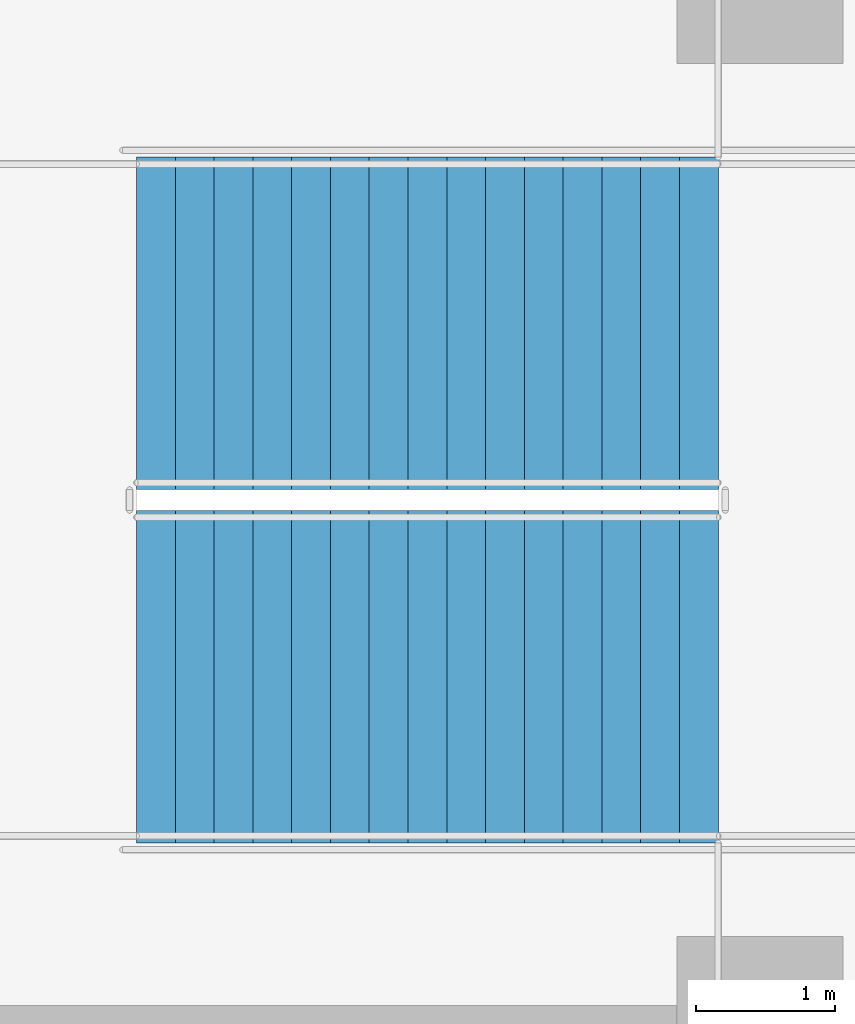
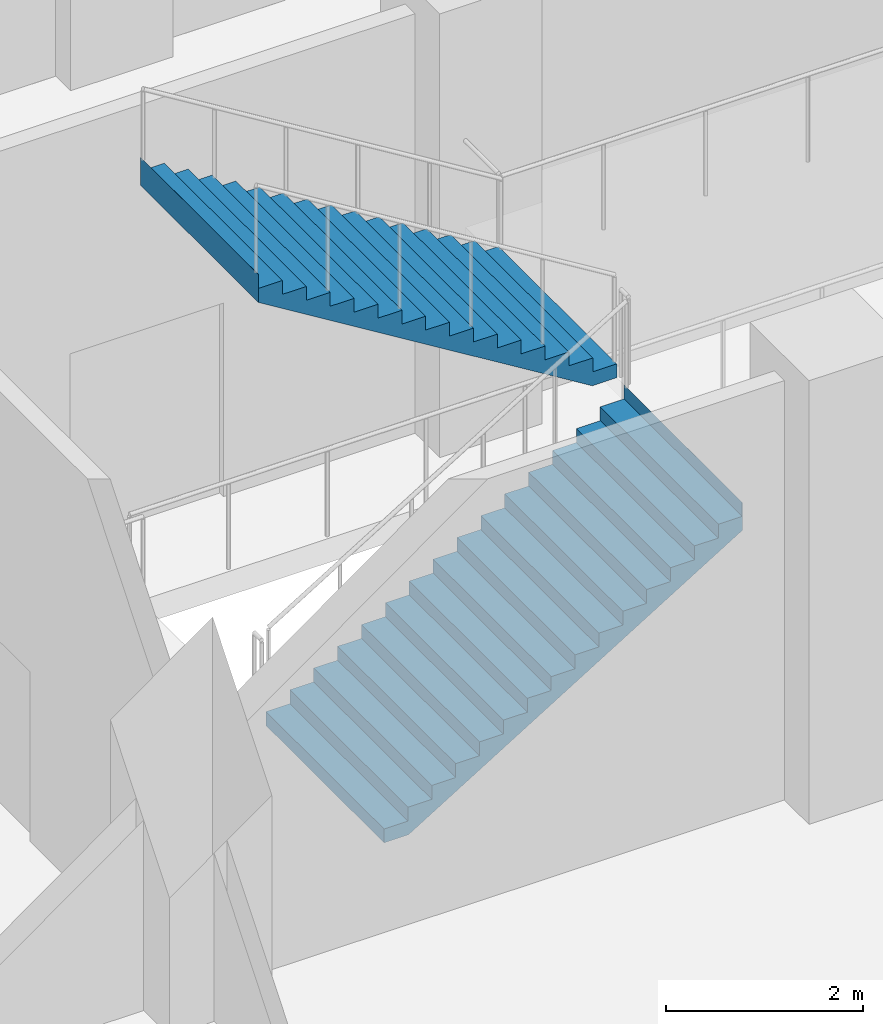
# One storey, part 18 of 25: 2 stair flights, 1 element without a shape of its own.
"""IFC4 building model written with IfcOpenShell, lengths in metres."""

import ifcopenshell
import ifcopenshell.guid

model = None  # the IFC model being written
_history = None  # IfcOwnerHistory: only IFC2X3 demands one
_inside = {}  # id of a spatial element -> (the spatial element, [elements in it])
_under = {}  # id of a project, library or spatial element -> (it, [spatial elements below it])
_declared = {}  # id of a project -> (the project, [libraries it declares])
_typed = {}  # id of a type object -> (the type object, [elements of that type])
_made_of = {}  # id of a material, layer set ... -> (it, [elements and type objects made of it])


def new_model(schema):
    """Start an empty IFC model of exactly this schema.

    Asked for "IFC4X3", IfcOpenShell would pick the latest addendum, in which some entities
    have other attributes; the version numbers below select the first issue.
    IFC2X3 requires an IfcOwnerHistory on every rooted entity: one is made here for all.
    """
    global model, _history
    if schema == "IFC4X3":
        model = ifcopenshell.file(schema_version=(4, 3, 0, 0))
    else:
        model = ifcopenshell.file(schema=schema)
    _inside.clear()
    _under.clear()
    _declared.clear()
    _typed.clear()
    _made_of.clear()
    _history = None
    if model.schema == "IFC2X3":
        org = make("IfcOrganization", Name="unknown")
        user = make(
            "IfcPersonAndOrganization",
            ThePerson=make("IfcPerson", FamilyName="unknown"),
            TheOrganization=org,
        )
        app = make(
            "IfcApplication",
            ApplicationDeveloper=org,
            Version="unknown",
            ApplicationFullName="unknown",
            ApplicationIdentifier="unknown",
        )
        _history = make(
            "IfcOwnerHistory",
            OwningUser=user,
            OwningApplication=app,
            ChangeAction="ADDED",
            CreationDate=0,
        )
    return model


def make(cls, **values):
    """One entity of the class cls with the attributes given. An attribute that is None is left unset."""
    return model.create_entity(
        cls, **{name: value for name, value in values.items() if value is not None}
    )


def rooted(cls, **values):
    """An entity with a GlobalId (a new one), such as an element, a storey or a relation."""
    return make(cls, GlobalId=ifcopenshell.guid.new(), OwnerHistory=_history, **values)


def si_unit(unit_type, name, prefix=None):
    """IfcSIUnit, for example si_unit("LENGTHUNIT", "METRE", prefix="MILLI")."""
    return make("IfcSIUnit", UnitType=unit_type, Prefix=prefix, Name=name)


def assignment(units):
    """IfcUnitAssignment: the units of a project."""
    return None if units is None else make("IfcUnitAssignment", Units=units)


def point(xyz):
    """IfcCartesianPoint."""
    return None if xyz is None else make("IfcCartesianPoint", Coordinates=xyz)


def direction(xyz):
    """IfcDirection."""
    return None if xyz is None else make("IfcDirection", DirectionRatios=xyz)


def frame(location, z_axis=None, x_axis=None):
    """IfcAxis2Placement3D, a coordinate frame: its origin and axes. An axis left out is left unset."""
    return make(
        "IfcAxis2Placement3D",
        Location=point(location),
        Axis=direction(z_axis),
        RefDirection=direction(x_axis),
    )


def origin():
    """The frame at (0, 0, 0) with its axes left unset."""
    return frame((0.0, 0.0, 0.0))


def place(relative_to, where):
    """IfcLocalPlacement: puts the frame where relative to a parent placement (None: the world)."""
    return make(
        "IfcLocalPlacement", PlacementRelTo=relative_to, RelativePlacement=where
    )


def context(
    kind, dimensions, precision=None, world=None, true_north=None, identifier=None
):
    """IfcGeometricRepresentationContext, for example the 3D "Model" context."""
    return make(
        "IfcGeometricRepresentationContext",
        ContextIdentifier=identifier,
        ContextType=kind,
        CoordinateSpaceDimension=dimensions,
        Precision=precision,
        WorldCoordinateSystem=world,
        TrueNorth=true_north,
    )


def subcontext(parent, identifier, kind, view, scale=None):
    """IfcGeometricRepresentationSubContext, for example "Body" below "Model"."""
    return make(
        "IfcGeometricRepresentationSubContext",
        ContextIdentifier=identifier,
        ContextType=kind,
        ParentContext=parent,
        TargetScale=scale,
        TargetView=view,
    )


def project(units=None, contexts=None):
    """IfcProject with its units and contexts."""
    return rooted(
        "IfcProject",
        Name="project",
        RepresentationContexts=contexts,
        UnitsInContext=assignment(units),
    )


def spatial(cls, under=None, at=None, **own):
    """A site, building, storey or space (cls), placed at a placement, below another one or the project."""
    s = rooted(cls, ObjectPlacement=at, **own)
    if under is not None:
        _under.setdefault(under.id(), (under, []))[1].append(s)
    return s


def polyline(points):
    """IfcPolyline through the points."""
    return make("IfcPolyline", Points=[point(p) for p in points])


def outline(outer, holes=None, kind="AREA"):
    """IfcArbitraryClosedProfileDef: a profile drawn as a closed curve; with holes, ...WithVoids."""
    if holes is None:
        return make("IfcArbitraryClosedProfileDef", ProfileType=kind, OuterCurve=outer)
    return make(
        "IfcArbitraryProfileDefWithVoids",
        ProfileType=kind,
        OuterCurve=outer,
        InnerCurves=holes,
    )


def extrude(swept, where, along, depth):
    """IfcExtrudedAreaSolid: the profile swept, set in the frame where, extruded along a direction by depth."""
    return make(
        "IfcExtrudedAreaSolid",
        SweptArea=swept,
        Position=where,
        ExtrudedDirection=direction(along),
        Depth=depth,
    )


def shape(context_of_items, identifier, shape_type, items):
    """IfcShapeRepresentation: the items that make up one representation, for example the "Body"."""
    return make(
        "IfcShapeRepresentation",
        ContextOfItems=context_of_items,
        RepresentationIdentifier=identifier,
        RepresentationType=shape_type,
        Items=items,
    )


def material(Name=None, Category=None):
    """IfcMaterial."""
    return make("IfcMaterial", Name=Name, Category=Category)


def made_of(thing, what):
    """Note that an element or type object is made of a material, layer set ...; save() writes the relation."""
    if what is not None:
        _made_of.setdefault(what.id(), (what, []))[1].append(thing)
    return thing


def type_object(cls, material=None, **own):
    """A type object (cls), such as IfcWallType, which elements share."""
    return made_of(rooted(cls, **own), material)


def element(
    cls,
    number,
    at=None,
    inside=None,
    cuts=None,
    type_object=None,
    material=None,
    context=None,
    identifier="Body",
    shape_type=None,
    held_by="IfcProductDefinitionShape",
    body=None,
    shapes=None,
    **own,
):
    """One element of the class cls, such as IfcWall. Its Tag is "e" and its number.

    at: its placement. inside: the storey or other place that contains it. cuts: it is an
    opening in that element (IfcRelVoidsElement). A single representation is given by context,
    identifier, shape_type and body (its items); several are given by shapes. held_by: the class
    of the entity that holds the representations. save() writes the other relations.
    """
    e = rooted(cls, Tag="e%d" % number, ObjectPlacement=at, **own)
    if body is not None:
        shapes = [shape(context, identifier, shape_type, body)]
    if shapes is not None:
        e.Representation = make(held_by, Representations=shapes)
    if inside is not None:
        _inside.setdefault(inside.id(), (inside, []))[1].append(e)
    if cuts is not None:
        rooted(
            "IfcRelVoidsElement", RelatingBuildingElement=cuts, RelatedOpeningElement=e
        )
    if type_object is not None:
        _typed.setdefault(type_object.id(), (type_object, []))[1].append(e)
    return made_of(e, material)


def aggregate(whole, parts):
    """IfcRelAggregates: a whole, such as a stair, and the parts it consists of."""
    return rooted("IfcRelAggregates", RelatingObject=whole, RelatedObjects=parts)


def save(model, path):
    """Write the relations noted so far, then the file.

    IfcRelAggregates (storeys below a building ...), IfcRelContainedInSpatialStructure (elements
    in a storey), IfcRelDefinesByType, IfcRelAssociatesMaterial and IfcRelDeclares: one each for
    every whole, place, type object, material and project.
    """
    for whole, parts in _under.values():
        aggregate(whole, parts)
    for where, things in _inside.values():
        rooted(
            "IfcRelContainedInSpatialStructure",
            RelatedElements=things,
            RelatingStructure=where,
        )
    for kind, things in _typed.values():
        rooted("IfcRelDefinesByType", RelatedObjects=things, RelatingType=kind)
    for what, things in _made_of.values():
        rooted("IfcRelAssociatesMaterial", RelatedObjects=things, RelatingMaterial=what)
    for by, libraries in _declared.values():
        rooted("IfcRelDeclares", RelatingContext=by, RelatedDefinitions=libraries)
    model.write(path)


model = new_model("IFC4")

# Units and contexts
model_context = context("Model", 3, precision=1e-05, world=origin(), true_north=direction((0.0, 1.0)))
body_context = subcontext(model_context, "Body", "Model", "MODEL_VIEW")
ifc_project = project(units=[si_unit("LENGTHUNIT", "METRE"), si_unit("AREAUNIT", "SQUARE_METRE"), si_unit("VOLUMEUNIT", "CUBIC_METRE"), si_unit("PLANEANGLEUNIT", "RADIAN"), si_unit("MASSUNIT", "GRAM", prefix="KILO")], contexts=[model_context])

# Site, building, storey
site_placement = place(None, origin())
site = spatial("IfcSite", under=ifc_project, at=site_placement, CompositionType="ELEMENT")
building_placement = place(site_placement, origin())
building = spatial("IfcBuilding", under=site, at=building_placement, Name="Tamorin Gate", CompositionType="ELEMENT")
storey_placement = place(building_placement, frame((0.0, 0.0, 23.5)))
storey = spatial("IfcBuildingStorey", under=building, at=storey_placement, Name="L04", CompositionType="ELEMENT", Elevation=23.5)

# Stair, stair flights
ifc_material = material(Name="Reinforced concrete C32/40", Category="concrete")
stair_type = type_object("IfcStairType", Name="Podium stair PS", PredefinedType="HALF_TURN_STAIR", material=ifc_material)
stair_placement = place(storey_placement, origin())
stair = element("IfcStair", 1, at=stair_placement, inside=storey, type_object=stair_type, Name="L04 Podium stair PS4", PredefinedType="HALF_TURN_STAIR")
stair_flight_type = type_object("IfcStairFlightType", Name="Stair flight 2400", PredefinedType="STRAIGHT", material=ifc_material)
stair_flight_1_placement = place(storey_placement, frame((100.0, 99.47509765625, 0.0), z_axis=(0.0, 0.0, 1.0), x_axis=(1.0, 0.0, 0.0)))
stair_flight_1 = element("IfcStairFlight", 2, at=stair_flight_1_placement, type_object=stair_flight_type, Name="PS4 flight 1", NumberOfRisers=16, NumberOfTreads=15, PredefinedType="STRAIGHT", RiserHeight=0.171875, TreadLength=0.28, context=body_context, shape_type="SweptSolid", body=[
    extrude(outline(polyline([(-0.00048828125, 0.0), (-0.00048828125, 0.001708984375), (-0.00048828125, 0.00341796875), (-0.00048828125, 0.005126953125), (-0.00048828125, 0.0068359375), (-0.00048828125, 0.008544921875), (-0.00048828125, 0.01025390625), (-0.00048828125, 0.011962890625), (-0.00048828125, 0.013671875), (-0.00048828125, 0.015380859375), (-0.00048828125, 0.01708984375), (-0.00048828125, 0.018798828125), (-0.00048828125, 0.0205078125), (-0.00048828125, 0.022216796875), (-0.00048828125, 0.02392578125), (-0.00048828125, 0.025634765625), (-0.00048828125, 0.02734375), (-0.00048828125, 0.02880859375), (-0.00048828125, 0.030517578125), (-0.00048828125, 0.0322265625), (-0.00048828125, 0.033935546875), (-0.00048828125, 0.03564453125), (-0.00048828125, 0.037353515625), (-0.00048828125, 0.0390625), (-0.00048828125, 0.040771484375), (-0.00048828125, 0.04248046875), (-0.00048828125, 0.044189453125), (-0.00048828125, 0.0458984375), (-0.00048828125, 0.047607421875), (-0.00048828125, 0.04931640625), (-0.00048828125, 0.051025390625), (-0.00048828125, 0.052734375), (-0.00048828125, 0.054443359375), (-0.00048828125, 0.05615234375), (-0.00048828125, 0.057861328125), (-0.00048828125, 0.0595703125), (-0.00048828125, 0.061279296875), (-0.00048828125, 0.06298828125), (-0.00048828125, 0.064697265625), (-0.00048828125, 0.06640625), (-0.00048828125, 0.068115234375), (-0.00048828125, 0.06982421875), (-0.00048828125, 0.071533203125), (-0.00048828125, 0.0732421875), (-0.00048828125, 0.074951171875), (-0.00048828125, 0.07666015625), (-0.00048828125, 0.078369140625), (-0.00048828125, 0.080078125), (-0.00048828125, 0.081787109375), (-0.00048828125, 0.08349609375), (-0.00048828125, 0.085205078125), (-0.00048828125, 0.086669921875), (-0.00048828125, 0.08837890625), (-0.00048828125, 0.090087890625), (-0.00048828125, 0.091796875), (-0.00048828125, 0.093505859375), (-0.00048828125, 0.09521484375), (-0.00048828125, 0.096923828125), (-0.00048828125, 0.0986328125), (-0.00048828125, 0.100341796875), (-0.00048828125, 0.10205078125), (-0.00048828125, 0.103759765625), (-0.00048828125, 0.10546875), (-0.00048828125, 0.107177734375), (-0.00048828125, 0.10888671875), (-0.00048828125, 0.110595703125), (-0.00048828125, 0.1123046875), (-0.00048828125, 0.114013671875), (-0.00048828125, 0.11572265625), (-0.00048828125, 0.117431640625), (-0.00048828125, 0.119140625), (-0.00048828125, 0.120849609375), (-0.00048828125, 0.12255859375), (-0.00048828125, 0.124267578125), (-0.00048828125, 0.1259765625), (-0.00048828125, 0.127685546875), (-0.00048828125, 0.12939453125), (-0.00048828125, 0.131103515625), (-0.00048828125, 0.1328125), (-0.00048828125, 0.134521484375), (-0.00048828125, 0.13623046875), (-0.00048828125, 0.137939453125), (-0.00048828125, 0.1396484375), (-0.00048828125, 0.141357421875), (-0.00048828125, 0.14306640625), (-0.00048828125, 0.14453125), (-0.00048828125, 0.146240234375), (-0.00048828125, 0.14794921875), (-0.00048828125, 0.149658203125), (-0.00048828125, 0.1513671875), (-0.00048828125, 0.153076171875), (-0.00048828125, 0.15478515625), (-0.00048828125, 0.156494140625), (-0.00048828125, 0.158203125), (-0.00048828125, 0.159912109375), (-0.00048828125, 0.16162109375), (-0.00048828125, 0.163330078125), (-0.00048828125, 0.1650390625), (-0.00048828125, 0.166748046875), (-0.00048828125, 0.16845703125), (-0.00048828125, 0.170166015625), (-0.00048828125, 0.171875), (0.280029296875, 0.171875), (0.280029296875, 0.34375), (0.56005859375, 0.34375), (0.56005859375, 0.515625), (0.840087890625, 0.515625), (0.840087890625, 0.6875), (1.1201171875, 0.6875), (1.1201171875, 0.859375), (1.39990234375, 0.859375), (1.39990234375, 1.03125), (1.679931640625, 1.03125), (1.679931640625, 1.203125), (1.9599609375, 1.203125), (1.9599609375, 1.375), (2.239990234375, 1.375), (2.239990234375, 1.546875), (2.52001953125, 1.546875), (2.52001953125, 1.71875), (2.800048828125, 1.71875), (2.800048828125, 1.890625), (3.080078125, 1.890625), (3.080078125, 2.0625), (3.360107421875, 2.0625), (3.360107421875, 2.234375), (3.639892578125, 2.234375), (3.639892578125, 2.40625), (3.919921875, 2.40625), (3.919921875, 2.578125), (4.199951171875, 2.578125), (4.199951171875, 2.75), (4.200439453125, 2.75), (4.200439453125, 2.74658203125), (4.200439453125, 2.7431640625), (4.200439453125, 2.73974609375), (4.200439453125, 2.736328125), (4.200439453125, 2.732666015625), (4.200439453125, 2.729248046875), (4.200439453125, 2.725830078125), (4.200439453125, 2.722412109375), (4.200439453125, 2.718994140625), (4.200439453125, 2.715576171875), (4.200439453125, 2.712158203125), (4.200439453125, 2.708740234375), (4.200439453125, 2.705322265625), (4.200439453125, 2.701904296875), (4.200439453125, 2.6982421875), (4.200439453125, 2.69482421875), (4.200439453125, 2.69140625), (4.200439453125, 2.68798828125), (4.200439453125, 2.6845703125), (4.200439453125, 2.68115234375), (4.200439453125, 2.677734375), (4.200439453125, 2.67431640625), (4.200439453125, 2.6708984375), (4.200439453125, 2.66748046875), (4.200439453125, 2.663818359375), (4.200439453125, 2.660400390625), (4.200439453125, 2.656982421875), (4.200439453125, 2.653564453125), (4.200439453125, 2.650146484375), (4.200439453125, 2.646728515625), (4.200439453125, 2.643310546875), (4.200439453125, 2.639892578125), (4.200439453125, 2.636474609375), (4.200439453125, 2.6328125), (4.200439453125, 2.62939453125), (4.200439453125, 2.6259765625), (4.200439453125, 2.62255859375), (4.200439453125, 2.619140625), (4.200439453125, 2.61572265625), (4.200439453125, 2.6123046875), (4.200439453125, 2.60888671875), (4.200439453125, 2.60546875), (4.200439453125, 2.60205078125), (4.200439453125, 2.598388671875), (4.200439453125, 2.594970703125), (4.200439453125, 2.591552734375), (4.200439453125, 2.588134765625), (4.200439453125, 2.584716796875), (4.200439453125, 2.581298828125), (4.200439453125, 2.577880859375), (4.200439453125, 2.574462890625), (4.200439453125, 2.571044921875), (4.200439453125, 2.567626953125), (4.200439453125, 2.56396484375), (4.200439453125, 2.560546875), (4.200439453125, 2.55712890625), (4.200439453125, 2.5537109375), (4.200439453125, 2.55029296875), (4.200439453125, 2.546875), (4.200439453125, 2.54345703125), (4.200439453125, 2.5400390625), (4.200439453125, 2.53662109375), (4.200439453125, 2.532958984375), (4.200439453125, 2.529541015625), (4.200439453125, 2.526123046875), (4.200439453125, 2.522705078125), (4.200439453125, 2.519287109375), (4.200439453125, 2.515869140625), (4.200439453125, 2.512451171875), (4.200439453125, 2.509033203125), (4.200439453125, 2.505615234375), (4.200439453125, 2.502197265625), (4.200439453125, 2.49853515625), (4.200439453125, 2.4951171875), (4.200439453125, 2.49169921875), (4.200439453125, 2.48828125), (4.200439453125, 2.48486328125), (4.200439453125, 2.4814453125), (4.200439453125, 2.47802734375), (4.200439453125, 2.474609375), (4.200439453125, 2.47119140625), (4.200439453125, 2.4677734375), (4.200439453125, 2.464111328125), (4.200439453125, 2.460693359375), (4.200439453125, 2.457275390625), (4.200439453125, 2.453857421875), (4.200439453125, 2.450439453125), (4.200439453125, 2.447021484375), (4.200439453125, 2.443603515625), (4.200439453125, 2.440185546875), (4.200439453125, 2.436767578125), (4.200439453125, 2.43310546875), (4.200439453125, 2.4296875), (4.200439453125, 2.42626953125), (4.200439453125, 2.4228515625), (4.200439453125, 2.41943359375), (4.200439453125, 2.416015625), (4.200439453125, 2.41259765625), (4.200439453125, 2.4091796875), (4.200439453125, 2.40576171875), (4.200439453125, 2.40234375), (4.199951171875, 2.40234375), (0.28662109375, 0.0), (-0.00048828125, 0.0)])), frame((0.0, 1.199951171875, 0.0), z_axis=(0.0, -1.0, 0.0), x_axis=(1.0, 0.0, 0.0)), (0.0, 0.0, 1.0), 2.39990234375),
])
stair_flight_2_placement = place(storey_placement, frame((104.199951171875, 102.02490234375, 2.75), z_axis=(0.0, 0.0, 1.0), x_axis=(-1.0, 0.0, 0.0)))
stair_flight_2 = element("IfcStairFlight", 3, at=stair_flight_2_placement, type_object=stair_flight_type, Name="PS4 flight 2", NumberOfRisers=16, NumberOfTreads=15, PredefinedType="STRAIGHT", RiserHeight=0.171875, TreadLength=0.28, context=body_context, shape_type="SweptSolid", body=[
    extrude(outline(polyline([(-0.00048828125, 0.0), (-0.00048828125, 0.001708984375), (-0.00048828125, 0.00341796875), (-0.00048828125, 0.005126953125), (-0.00048828125, 0.0068359375), (-0.00048828125, 0.008544921875), (-0.00048828125, 0.01025390625), (-0.00048828125, 0.011962890625), (-0.00048828125, 0.013671875), (-0.00048828125, 0.015380859375), (-0.00048828125, 0.01708984375), (-0.00048828125, 0.018798828125), (-0.00048828125, 0.0205078125), (-0.00048828125, 0.022216796875), (-0.00048828125, 0.02392578125), (-0.00048828125, 0.025634765625), (-0.00048828125, 0.02734375), (-0.00048828125, 0.02880859375), (-0.00048828125, 0.030517578125), (-0.00048828125, 0.0322265625), (-0.00048828125, 0.033935546875), (-0.00048828125, 0.03564453125), (-0.00048828125, 0.037353515625), (-0.00048828125, 0.0390625), (-0.00048828125, 0.040771484375), (-0.00048828125, 0.04248046875), (-0.00048828125, 0.044189453125), (-0.00048828125, 0.0458984375), (-0.00048828125, 0.047607421875), (-0.00048828125, 0.04931640625), (-0.00048828125, 0.051025390625), (-0.00048828125, 0.052734375), (-0.00048828125, 0.054443359375), (-0.00048828125, 0.05615234375), (-0.00048828125, 0.057861328125), (-0.00048828125, 0.0595703125), (-0.00048828125, 0.061279296875), (-0.00048828125, 0.06298828125), (-0.00048828125, 0.064697265625), (-0.00048828125, 0.06640625), (-0.00048828125, 0.068115234375), (-0.00048828125, 0.06982421875), (-0.00048828125, 0.071533203125), (-0.00048828125, 0.0732421875), (-0.00048828125, 0.074951171875), (-0.00048828125, 0.07666015625), (-0.00048828125, 0.078369140625), (-0.00048828125, 0.080078125), (-0.00048828125, 0.081787109375), (-0.00048828125, 0.08349609375), (-0.00048828125, 0.085205078125), (-0.00048828125, 0.086669921875), (-0.00048828125, 0.08837890625), (-0.00048828125, 0.090087890625), (-0.00048828125, 0.091796875), (-0.00048828125, 0.093505859375), (-0.00048828125, 0.09521484375), (-0.00048828125, 0.096923828125), (-0.00048828125, 0.0986328125), (-0.00048828125, 0.100341796875), (-0.00048828125, 0.10205078125), (-0.00048828125, 0.103759765625), (-0.00048828125, 0.10546875), (-0.00048828125, 0.107177734375), (-0.00048828125, 0.10888671875), (-0.00048828125, 0.110595703125), (-0.00048828125, 0.1123046875), (-0.00048828125, 0.114013671875), (-0.00048828125, 0.11572265625), (-0.00048828125, 0.117431640625), (-0.00048828125, 0.119140625), (-0.00048828125, 0.120849609375), (-0.00048828125, 0.12255859375), (-0.00048828125, 0.124267578125), (-0.00048828125, 0.1259765625), (-0.00048828125, 0.127685546875), (-0.00048828125, 0.12939453125), (-0.00048828125, 0.131103515625), (-0.00048828125, 0.1328125), (-0.00048828125, 0.134521484375), (-0.00048828125, 0.13623046875), (-0.00048828125, 0.137939453125), (-0.00048828125, 0.1396484375), (-0.00048828125, 0.141357421875), (-0.00048828125, 0.14306640625), (-0.00048828125, 0.14453125), (-0.00048828125, 0.146240234375), (-0.00048828125, 0.14794921875), (-0.00048828125, 0.149658203125), (-0.00048828125, 0.1513671875), (-0.00048828125, 0.153076171875), (-0.00048828125, 0.15478515625), (-0.00048828125, 0.156494140625), (-0.00048828125, 0.158203125), (-0.00048828125, 0.159912109375), (-0.00048828125, 0.16162109375), (-0.00048828125, 0.163330078125), (-0.00048828125, 0.1650390625), (-0.00048828125, 0.166748046875), (-0.00048828125, 0.16845703125), (-0.00048828125, 0.170166015625), (-0.00048828125, 0.171875), (0.280029296875, 0.171875), (0.280029296875, 0.34375), (0.56005859375, 0.34375), (0.56005859375, 0.515625), (0.840087890625, 0.515625), (0.840087890625, 0.6875), (1.1201171875, 0.6875), (1.1201171875, 0.859375), (1.39990234375, 0.859375), (1.39990234375, 1.03125), (1.679931640625, 1.03125), (1.679931640625, 1.203125), (1.9599609375, 1.203125), (1.9599609375, 1.375), (2.239990234375, 1.375), (2.239990234375, 1.546875), (2.52001953125, 1.546875), (2.52001953125, 1.71875), (2.800048828125, 1.71875), (2.800048828125, 1.890625), (3.080078125, 1.890625), (3.080078125, 2.0625), (3.360107421875, 2.0625), (3.360107421875, 2.234375), (3.639892578125, 2.234375), (3.639892578125, 2.40625), (3.919921875, 2.40625), (3.919921875, 2.578125), (4.199951171875, 2.578125), (4.199951171875, 2.75), (4.200439453125, 2.75), (4.200439453125, 2.74658203125), (4.200439453125, 2.7431640625), (4.200439453125, 2.73974609375), (4.200439453125, 2.736328125), (4.200439453125, 2.732666015625), (4.200439453125, 2.729248046875), (4.200439453125, 2.725830078125), (4.200439453125, 2.722412109375), (4.200439453125, 2.718994140625), (4.200439453125, 2.715576171875), (4.200439453125, 2.712158203125), (4.200439453125, 2.708740234375), (4.200439453125, 2.705322265625), (4.200439453125, 2.701904296875), (4.200439453125, 2.6982421875), (4.200439453125, 2.69482421875), (4.200439453125, 2.69140625), (4.200439453125, 2.68798828125), (4.200439453125, 2.6845703125), (4.200439453125, 2.68115234375), (4.200439453125, 2.677734375), (4.200439453125, 2.67431640625), (4.200439453125, 2.6708984375), (4.200439453125, 2.66748046875), (4.200439453125, 2.663818359375), (4.200439453125, 2.660400390625), (4.200439453125, 2.656982421875), (4.200439453125, 2.653564453125), (4.200439453125, 2.650146484375), (4.200439453125, 2.646728515625), (4.200439453125, 2.643310546875), (4.200439453125, 2.639892578125), (4.200439453125, 2.636474609375), (4.200439453125, 2.6328125), (4.200439453125, 2.62939453125), (4.200439453125, 2.6259765625), (4.200439453125, 2.62255859375), (4.200439453125, 2.619140625), (4.200439453125, 2.61572265625), (4.200439453125, 2.6123046875), (4.200439453125, 2.60888671875), (4.200439453125, 2.60546875), (4.200439453125, 2.60205078125), (4.200439453125, 2.598388671875), (4.200439453125, 2.594970703125), (4.200439453125, 2.591552734375), (4.200439453125, 2.588134765625), (4.200439453125, 2.584716796875), (4.200439453125, 2.581298828125), (4.200439453125, 2.577880859375), (4.200439453125, 2.574462890625), (4.200439453125, 2.571044921875), (4.200439453125, 2.567626953125), (4.200439453125, 2.56396484375), (4.200439453125, 2.560546875), (4.200439453125, 2.55712890625), (4.200439453125, 2.5537109375), (4.200439453125, 2.55029296875), (4.200439453125, 2.546875), (4.200439453125, 2.54345703125), (4.200439453125, 2.5400390625), (4.200439453125, 2.53662109375), (4.200439453125, 2.532958984375), (4.200439453125, 2.529541015625), (4.200439453125, 2.526123046875), (4.200439453125, 2.522705078125), (4.200439453125, 2.519287109375), (4.200439453125, 2.515869140625), (4.200439453125, 2.512451171875), (4.200439453125, 2.509033203125), (4.200439453125, 2.505615234375), (4.200439453125, 2.502197265625), (4.200439453125, 2.49853515625), (4.200439453125, 2.4951171875), (4.200439453125, 2.49169921875), (4.200439453125, 2.48828125), (4.200439453125, 2.48486328125), (4.200439453125, 2.4814453125), (4.200439453125, 2.47802734375), (4.200439453125, 2.474609375), (4.200439453125, 2.47119140625), (4.200439453125, 2.4677734375), (4.200439453125, 2.464111328125), (4.200439453125, 2.460693359375), (4.200439453125, 2.457275390625), (4.200439453125, 2.453857421875), (4.200439453125, 2.450439453125), (4.200439453125, 2.447021484375), (4.200439453125, 2.443603515625), (4.200439453125, 2.440185546875), (4.200439453125, 2.436767578125), (4.200439453125, 2.43310546875), (4.200439453125, 2.4296875), (4.200439453125, 2.42626953125), (4.200439453125, 2.4228515625), (4.200439453125, 2.41943359375), (4.200439453125, 2.416015625), (4.200439453125, 2.41259765625), (4.200439453125, 2.4091796875), (4.200439453125, 2.40576171875), (4.200439453125, 2.40234375), (4.199951171875, 2.40234375), (0.28662109375, 0.0), (-0.00048828125, 0.0)])), frame((0.0, 1.199951171875, 0.0), z_axis=(0.0, -1.0, 0.0), x_axis=(1.0, 0.0, 0.0)), (0.0, 0.0, 1.0), 2.39990234375),
])
aggregate(stair, [stair_flight_1, stair_flight_2])

save(model, "model.ifc")
